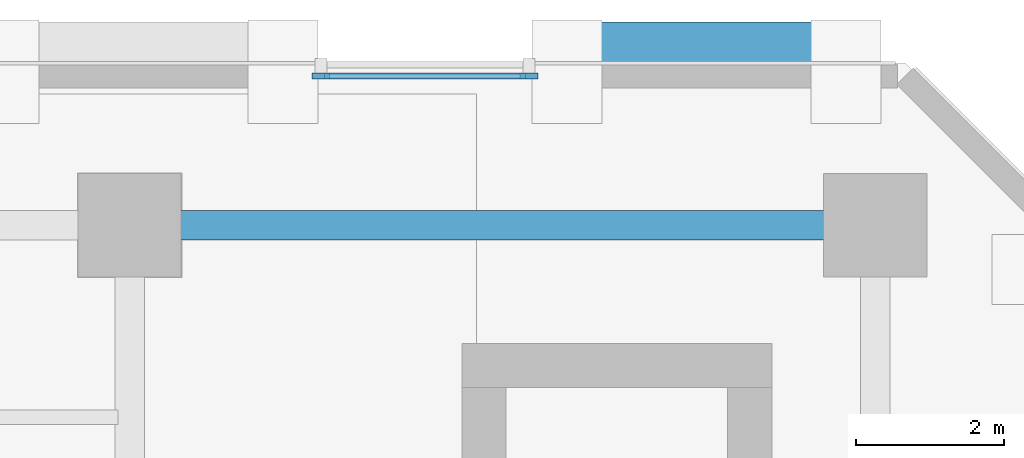
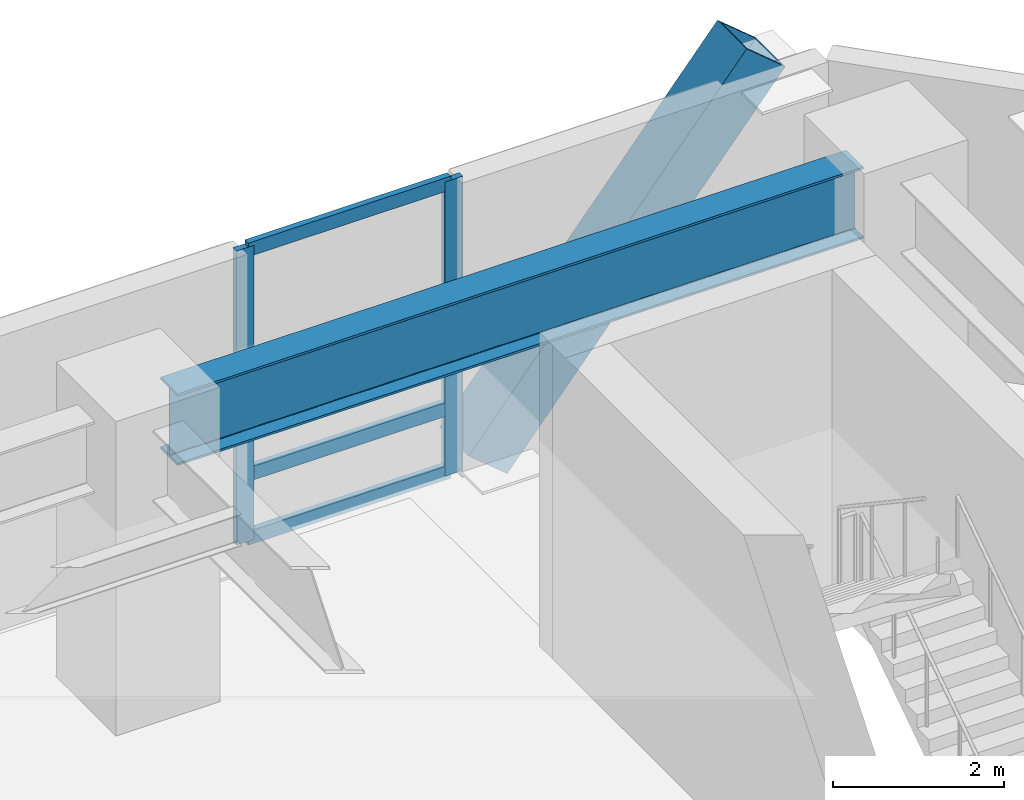
# One storey, part 11 of 26: 6 members, 1 beam, 1 element without a shape of its own.
"""IFC4 building model written with IfcOpenShell, lengths in metres."""

from ifc_helpers import new_model, si_unit, direction, frame, origin, origin_2d, place, context, subcontext, project, spatial, rectangle, hollow_rectangle, i_section, extrude, material, material_profile, profile_set, type_object, element, aggregate, save


model = new_model("IFC4")

# Units and contexts
model_context = context("Model", 3, precision=1e-05, world=origin(), true_north=direction((0.0, 1.0)))
body_context = subcontext(model_context, "Body", "Model", "MODEL_VIEW")
ifc_project = project(units=[si_unit("LENGTHUNIT", "METRE"), si_unit("AREAUNIT", "SQUARE_METRE"), si_unit("VOLUMEUNIT", "CUBIC_METRE"), si_unit("PLANEANGLEUNIT", "RADIAN"), si_unit("MASSUNIT", "GRAM", prefix="KILO")], contexts=[model_context])

# Site, building, storey
site_placement = place(None, origin())
site = spatial("IfcSite", under=ifc_project, at=site_placement, CompositionType="ELEMENT")
building_placement = place(site_placement, origin())
building = spatial("IfcBuilding", under=site, at=building_placement, Name="Quenlor Broadcast Tower", CompositionType="ELEMENT")
storey_placement = place(building_placement, frame((0.0, 0.0, 14.0)))
storey = spatial("IfcBuildingStorey", under=building, at=storey_placement, Name="L03", CompositionType="ELEMENT", Elevation=14.0)

# Curtain wall, members
ifc_material_1 = material(Name="Architectural Terracotta and Low-E Glazing", Category="masonry")
curtain_wall_type = type_object("IfcCurtainWallType", Name="Station Concourse and Crown Terracotta Curtain Wall", PredefinedType="NOTDEFINED", material=ifc_material_1)
curtain_wall_placement = place(storey_placement, origin())
curtain_wall = element("IfcCurtainWall", 1, at=curtain_wall_placement, inside=storey, type_object=curtain_wall_type, Name="L03 Curtain Wall CW6 (L03-N-FULL-G6)", PredefinedType="NOTDEFINED")
ifc_material_2 = material(Name="Aluminium 6063-T6", Category="aluminium")
ifc_material_profile_1 = material_profile(ifc_material_2, rectangle(XDim=0.08203125, YDim=0.239990234375, at=origin_2d()))
ifc_profile_set_1 = profile_set([ifc_material_profile_1], Name="Aluminium 6063-T6 MULL82x240")
member_type_1 = type_object("IfcMemberType", Name="CW6 Aluminium Mullion MULL_CW6", PredefinedType="MULLION", material=ifc_profile_set_1)
member_1_placement = place(storey_placement, frame((27.090576171875, 24.820068359375, 0.0), z_axis=(0.0, 0.0, 1.0), x_axis=(0.0, 1.0, 0.0)))
member_1 = element("IfcMember", 2, at=member_1_placement, type_object=member_type_1, Name="CW6 mullion 1", PredefinedType="MULLION", context=body_context, shape_type="SweptSolid", body=[
    extrude(rectangle(XDim=0.08203125, YDim=0.239990234375, at=origin_2d()), origin(), (0.0, 0.0, 1.0), 4.199951171875),
])
member_2_placement = place(storey_placement, frame((29.909423828125, 24.820068359375, 0.0), z_axis=(0.0, 0.0, 1.0), x_axis=(0.0, 1.0, 0.0)))
member_2 = element("IfcMember", 3, at=member_2_placement, type_object=member_type_1, Name="CW6 mullion 2", PredefinedType="MULLION", context=body_context, shape_type="SweptSolid", body=[
    extrude(rectangle(XDim=0.08203125, YDim=0.239990234375, at=origin_2d()), origin(), (0.0, 0.0, 1.0), 4.199951171875),
])
ifc_material_3 = material(Name="Aluminium 6063-T6", Category="aluminium")
ifc_material_profile_2 = material_profile(ifc_material_3, rectangle(XDim=0.08203125, YDim=0.195068359375, at=origin_2d()))
ifc_profile_set_2 = profile_set([ifc_material_profile_2], Name="Aluminium 6063-T6 TRAN82x195")
member_type_2 = type_object("IfcMemberType", Name="CW6 Aluminium Transom TRAN_CW6", PredefinedType="USERDEFINED", material=ifc_profile_set_2)
member_3_placement = place(storey_placement, frame((27.131591796875, 24.820068359375, 0.041015625), z_axis=(1.0, 0.0, 0.0), x_axis=(0.0, 1.0, 0.0)))
member_3 = element("IfcMember", 4, at=member_3_placement, type_object=member_type_2, Name="CW6 transom 1.1", ObjectType="TRANSOM", PredefinedType="USERDEFINED", context=body_context, shape_type="SweptSolid", body=[
    extrude(rectangle(XDim=0.08203125, YDim=0.195068359375, at=origin_2d()), origin(), (0.0, 0.0, 1.0), 2.73681640625),
])
member_4_placement = place(storey_placement, frame((27.131591796875, 24.820068359375, 0.949951171875), z_axis=(1.0, 0.0, 0.0), x_axis=(0.0, 1.0, 0.0)))
member_4 = element("IfcMember", 5, at=member_4_placement, type_object=member_type_2, Name="CW6 transom 1.2", ObjectType="TRANSOM", PredefinedType="USERDEFINED", context=body_context, shape_type="SweptSolid", body=[
    extrude(rectangle(XDim=0.08203125, YDim=0.195068359375, at=origin_2d()), origin(), (0.0, 0.0, 1.0), 2.73681640625),
])
member_5_placement = place(storey_placement, frame((27.131591796875, 24.820068359375, 4.158935546875), z_axis=(1.0, 0.0, 0.0), x_axis=(0.0, 1.0, 0.0)))
member_5 = element("IfcMember", 6, at=member_5_placement, type_object=member_type_2, Name="CW6 transom 1.3", ObjectType="TRANSOM", PredefinedType="USERDEFINED", context=body_context, shape_type="SweptSolid", body=[
    extrude(rectangle(XDim=0.08203125, YDim=0.195068359375, at=origin_2d()), origin(), (0.0, 0.0, 1.0), 2.73681640625),
])
aggregate(curtain_wall, [member_1, member_2, member_3, member_4, member_5])

# Member
ifc_material_4 = material(Name="Steel S355", Category="steel")
ifc_material_profile_3 = material_profile(ifc_material_4, hollow_rectangle(XDim=0.679931640625, YDim=0.679931640625, WallThickness=0.034912109375, at=origin_2d()))
ifc_profile_set_3 = profile_set([ifc_material_profile_3], Name="Steel S355 RHS680x680x35")
member_type_3 = type_object("IfcMemberType", Name="Perimeter Diagonal Lattice Brace Z1 Steel S355 RHS680x35", PredefinedType="BRACE", material=ifc_profile_set_3)
member_6_placement = place(storey_placement, frame((30.4228515625, 25.215087890625, -0.1201171875), z_axis=(0.640626831312, 0.0, 0.767852370578), x_axis=(0.0, 1.0, 0.0)))
element("IfcMember", 7, at=member_6_placement, inside=storey, type_object=member_type_3, Name="L03 Podium Diamond Lattice N-P6S", PredefinedType="BRACE", context=body_context, shape_type="SweptSolid", body=[
    extrude(hollow_rectangle(XDim=0.679931640625, YDim=0.679931640625, WallThickness=0.034912109375, at=origin_2d()), origin(), (0.0, 0.0, 1.0), 5.860595703125),
])

# Beam
ifc_material_5 = material(Name="Steel S355", Category="steel")
ifc_material_profile_4 = material_profile(ifc_material_5, i_section(OverallWidth=0.39990234375, OverallDepth=1.02392578125, WebThickness=0.01611328125, FlangeThickness=0.031982421875, FilletRadius=0.01611328125, at=origin_2d()))
ifc_profile_set_4 = profile_set([ifc_material_profile_4], Name="Steel S355 1000WB322")
beam_type = type_object("IfcBeamType", Name="Podium Concourse Girder Steel S355 1000WB322", PredefinedType="BEAM", material=ifc_profile_set_4)
beam_placement = place(storey_placement, frame((24.919921875, 22.800048828125, 3.68798828125), z_axis=(1.0, 0.0, 0.0), x_axis=(0.0, 1.0, 0.0)))
element("IfcBeam", 8, at=beam_placement, inside=storey, type_object=beam_type, Name="L03 Podium Girder 33", PredefinedType="BEAM", context=body_context, shape_type="SweptSolid", body=[
    extrude(i_section(OverallWidth=0.39990234375, OverallDepth=1.02392578125, WebThickness=0.01611328125, FlangeThickness=0.031982421875, FilletRadius=0.01611328125, at=origin_2d()), origin(), (0.0, 0.0, 1.0), 9.260009765625),
])

save(model, "model.ifc")
